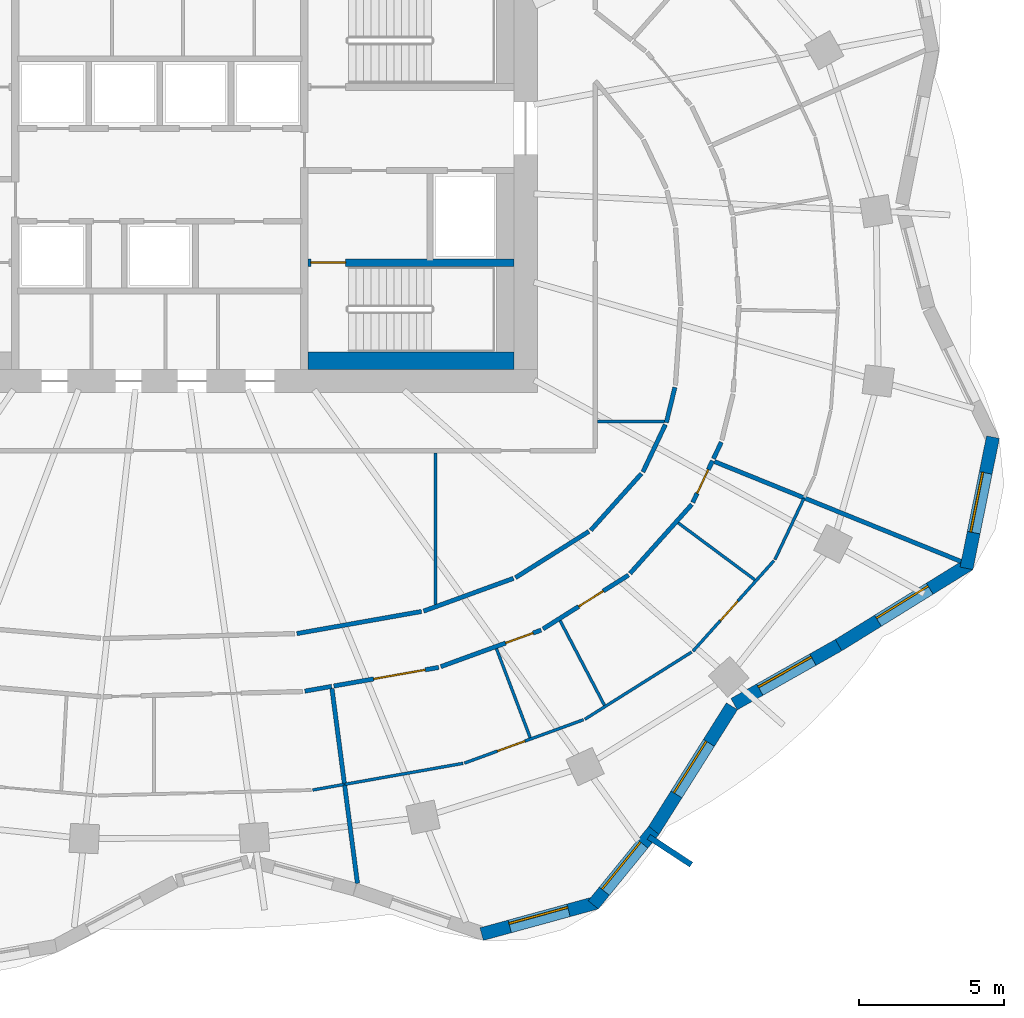
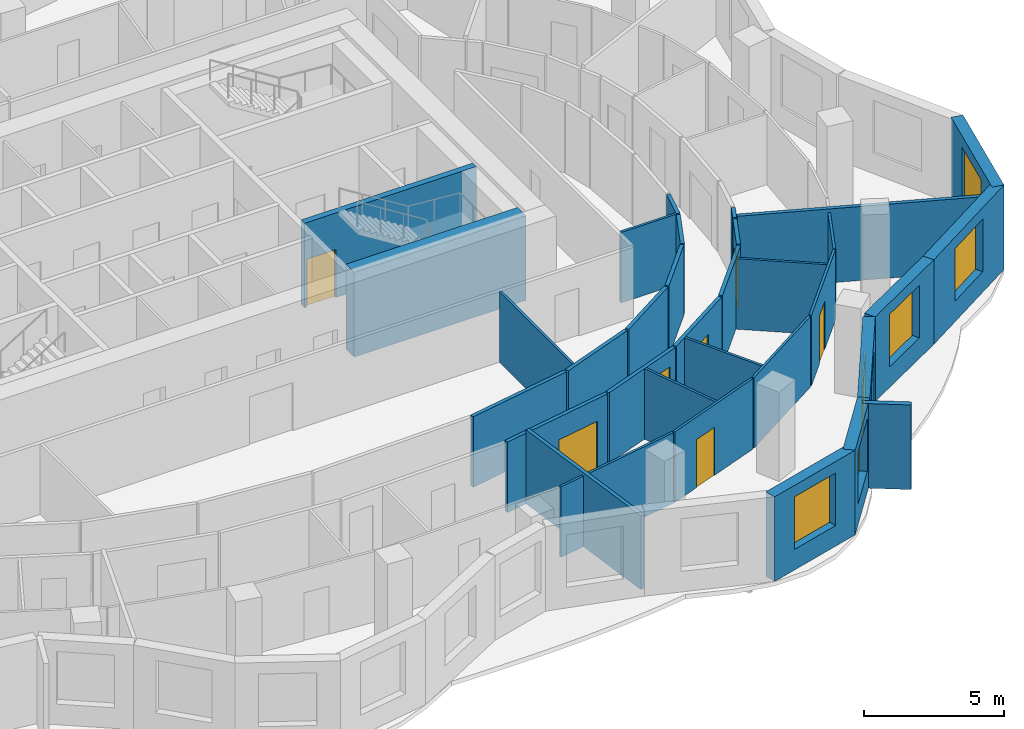
# One storey, part 6 of 11: 35 walls, 7 doors, 6 windows, 13 openings.
"""IFC4 building model written with IfcOpenShell, lengths in metres."""

from ifc_helpers import new_model, si_unit, direction, frame, frame_2d, origin, place, context, subcontext, project, spatial, rectangle, extrude, material, layer, layer_set, type_object, element, fill, save


model = new_model("IFC4")

# Units and contexts
model_context = context("Model", 3, precision=1e-05, world=origin(), true_north=direction((0.0, 1.0)))
body_context = subcontext(model_context, "Body", "Model", "MODEL_VIEW")
ifc_project = project(units=[si_unit("LENGTHUNIT", "METRE"), si_unit("AREAUNIT", "SQUARE_METRE"), si_unit("VOLUMEUNIT", "CUBIC_METRE"), si_unit("PLANEANGLEUNIT", "RADIAN"), si_unit("MASSUNIT", "GRAM", prefix="KILO")], contexts=[model_context])

# Site, building, storey
site_placement = place(None, origin())
site = spatial("IfcSite", under=ifc_project, at=site_placement, CompositionType="ELEMENT")
building_placement = place(site_placement, origin())
building = spatial("IfcBuilding", under=site, at=building_placement, Name="Rubra Terraces Tower", CompositionType="ELEMENT")
storey_placement = place(building_placement, frame((0.0, 0.0, 174.0)))
storey = spatial("IfcBuildingStorey", under=building, at=storey_placement, Name="L42", CompositionType="ELEMENT", Elevation=174.0)

# Wall, opening, window
ifc_material_1 = material(Name="Brick masonry red-brown", Category="masonry")
ifc_layer_1 = layer(ifc_material_1, 0.449951171875)
ifc_layer_set_1 = layer_set([ifc_layer_1], Name="Brick masonry red-brown")
wall_type_1 = type_object("IfcWallType", Name="Brick facade wall 450", PredefinedType="SOLIDWALL", material=ifc_layer_set_1)
wall_1_placement = place(storey_placement, frame((11.08251953125, -21.64990234375, 0.0), z_axis=(0.0, 0.0, 1.0), x_axis=(0.964483204983, 0.264144179011, 0.0)))
wall_1 = element("IfcWall", 1, at=wall_1_placement, inside=storey, type_object=wall_type_1, Name="Facade wall L42 bay 34", PredefinedType="SOLIDWALL", context=body_context, shape_type="SweptSolid", body=[
    extrude(rectangle(XDim=4.103759765625, YDim=0.449951171875, at=frame_2d((2.0517578125, 0.0))), origin(), (0.0, 0.0, 1.0), 3.699951171875),
])
opening_1_placement = place(wall_1_placement, frame((1.001953125, 0.0, 0.89990234375)))
opening_1 = element("IfcOpeningElement", 2, at=opening_1_placement, cuts=wall_1, Name="Opening W1B", PredefinedType="OPENING", context=body_context, shape_type="SweptSolid", body=[
    extrude(rectangle(XDim=2.10009765625, YDim=2.300048828125, at=frame_2d((1.050048828125, 1.14990234375))), frame((0.0, 0.23486328125, 0.0), z_axis=(0.0, -1.0, 0.0), x_axis=(1.0, 0.0, 0.0)), (0.0, 0.0, 1.0), 0.469970703125),
])
ifc_material_2 = material(Name="Clear glass in aluminium frame", Category="aluminium")
window_type = type_object("IfcWindowType", Name="Fixed deep-set window tall storey 2100 x 2300", PartitioningType="SINGLE_PANEL", PredefinedType="WINDOW", material=ifc_material_2)
window_1_placement = place(opening_1_placement, origin())
window_1 = element("IfcWindow", 3, at=window_1_placement, inside=storey, type_object=window_type, Name="Window L42 bay 34", OverallHeight=2.300048828125, OverallWidth=2.10009765625, PartitioningType="SINGLE_PANEL", PredefinedType="WINDOW", context=body_context, shape_type="SweptSolid", body=[
    extrude(rectangle(XDim=2.10009765625, YDim=2.300048828125, at=frame_2d((1.050048828125, 1.14990234375))), frame((0.0, 0.135009765625, 0.0), z_axis=(0.0, -1.0, 0.0), x_axis=(1.0, 0.0, 0.0)), (0.0, 0.0, 1.0), 0.06005859375),
])
fill(opening_1, window_1)

wall_2_placement = place(storey_placement, frame((14.925537109375, -20.640869140625, 0.0), z_axis=(0.0, 0.0, 1.0), x_axis=(0.631548074669, 0.775336720001, 0.0)))
wall_2 = element("IfcWall", 4, at=wall_2_placement, inside=storey, type_object=wall_type_1, Name="Facade wall L42 bay 35", PredefinedType="SOLIDWALL", context=body_context, shape_type="SweptSolid", body=[
    extrude(rectangle(XDim=3.3076171875, YDim=0.449951171875, at=frame_2d((1.65380859375, 0.0))), origin(), (0.0, 0.0, 1.0), 3.699951171875),
])
opening_2_placement = place(wall_2_placement, frame((0.603759765625, 0.0, 0.89990234375)))
opening_2 = element("IfcOpeningElement", 5, at=opening_2_placement, cuts=wall_2, Name="Opening W1B", PredefinedType="OPENING", context=body_context, shape_type="SweptSolid", body=[
    extrude(rectangle(XDim=2.10009765625, YDim=2.300048828125, at=frame_2d((1.050048828125, 1.14990234375))), frame((0.0, 0.23486328125, 0.0), z_axis=(0.0, -1.0, 0.0), x_axis=(1.0, 0.0, 0.0)), (0.0, 0.0, 1.0), 0.469970703125),
])
window_2_placement = place(opening_2_placement, origin())
window_2 = element("IfcWindow", 6, at=window_2_placement, inside=storey, type_object=window_type, Name="Window L42 bay 35", OverallHeight=2.300048828125, OverallWidth=2.10009765625, PartitioningType="SINGLE_PANEL", PredefinedType="WINDOW", context=body_context, shape_type="SweptSolid", body=[
    extrude(rectangle(XDim=2.10009765625, YDim=2.300048828125, at=frame_2d((1.050048828125, 1.14990234375))), frame((0.0, 0.135009765625, 0.0), z_axis=(0.0, -1.0, 0.0), x_axis=(1.0, 0.0, 0.0)), (0.0, 0.0, 1.0), 0.06005859375),
])
fill(opening_2, window_2)

wall_3_placement = place(storey_placement, frame((16.998291015625, -18.0986328125, 0.0), z_axis=(0.0, 0.0, 1.0), x_axis=(0.532745661304, 0.846275404559, 0.0)))
wall_3 = element("IfcWall", 7, at=wall_3_placement, inside=storey, type_object=wall_type_1, Name="Facade wall L42 bay 36", PredefinedType="SOLIDWALL", context=body_context, shape_type="SweptSolid", body=[
    extrude(rectangle(XDim=5.076171875, YDim=0.449951171875, at=frame_2d((2.5380859375, 0.0))), origin(), (0.0, 0.0, 1.0), 3.699951171875),
])
opening_3_placement = place(wall_3_placement, frame((1.488037109375, 0.0, 0.89990234375)))
opening_3 = element("IfcOpeningElement", 8, at=opening_3_placement, cuts=wall_3, Name="Opening W1B", PredefinedType="OPENING", context=body_context, shape_type="SweptSolid", body=[
    extrude(rectangle(XDim=2.10009765625, YDim=2.300048828125, at=frame_2d((1.050048828125, 1.14990234375))), frame((0.0, 0.23486328125, 0.0), z_axis=(0.0, -1.0, 0.0), x_axis=(1.0, 0.0, 0.0)), (0.0, 0.0, 1.0), 0.469970703125),
])
window_3_placement = place(opening_3_placement, origin())
window_3 = element("IfcWindow", 9, at=window_3_placement, inside=storey, type_object=window_type, Name="Window L42 bay 36", OverallHeight=2.300048828125, OverallWidth=2.10009765625, PartitioningType="SINGLE_PANEL", PredefinedType="WINDOW", context=body_context, shape_type="SweptSolid", body=[
    extrude(rectangle(XDim=2.10009765625, YDim=2.300048828125, at=frame_2d((1.050048828125, 1.14990234375))), frame((0.0, 0.135009765625, 0.0), z_axis=(0.0, -1.0, 0.0), x_axis=(1.0, 0.0, 0.0)), (0.0, 0.0, 1.0), 0.06005859375),
])
fill(opening_3, window_3)

wall_4_placement = place(storey_placement, frame((19.77587890625, -13.730712890625, 0.0), z_axis=(0.0, 0.0, 1.0), x_axis=(0.870610133829, 0.491973571318, 0.0)))
wall_4 = element("IfcWall", 10, at=wall_4_placement, inside=storey, type_object=wall_type_1, Name="Facade wall L42 bay 37", PredefinedType="SOLIDWALL", context=body_context, shape_type="SweptSolid", body=[
    extrude(rectangle(XDim=4.1337890625, YDim=0.449951171875, at=frame_2d((2.06689453125, 0.0))), origin(), (0.0, 0.0, 1.0), 3.699951171875),
])
opening_4_placement = place(wall_4_placement, frame((1.016845703125, 0.0, 0.89990234375)))
opening_4 = element("IfcOpeningElement", 11, at=opening_4_placement, cuts=wall_4, Name="Opening W1B", PredefinedType="OPENING", context=body_context, shape_type="SweptSolid", body=[
    extrude(rectangle(XDim=2.10009765625, YDim=2.300048828125, at=frame_2d((1.050048828125, 1.14990234375))), frame((0.0, 0.23486328125, 0.0), z_axis=(0.0, -1.0, 0.0), x_axis=(1.0, 0.0, 0.0)), (0.0, 0.0, 1.0), 0.469970703125),
])
window_4_placement = place(opening_4_placement, origin())
window_4 = element("IfcWindow", 12, at=window_4_placement, inside=storey, type_object=window_type, Name="Window L42 bay 37", OverallHeight=2.300048828125, OverallWidth=2.10009765625, PartitioningType="SINGLE_PANEL", PredefinedType="WINDOW", context=body_context, shape_type="SweptSolid", body=[
    extrude(rectangle(XDim=2.10009765625, YDim=2.300048828125, at=frame_2d((1.050048828125, 1.14990234375))), frame((0.0, 0.135009765625, 0.0), z_axis=(0.0, -1.0, 0.0), x_axis=(1.0, 0.0, 0.0)), (0.0, 0.0, 1.0), 0.06005859375),
])
fill(opening_4, window_4)

wall_5_placement = place(storey_placement, frame((23.368408203125, -11.700927734375, 0.0), z_axis=(0.0, 0.0, 1.0), x_axis=(0.850251408633, 0.526376806211, 0.0)))
wall_5 = element("IfcWall", 13, at=wall_5_placement, inside=storey, type_object=wall_type_1, Name="Facade wall L42 bay 38", PredefinedType="SOLIDWALL", context=body_context, shape_type="SweptSolid", body=[
    extrude(rectangle(XDim=5.30224609375, YDim=0.449951171875, at=frame_2d((2.651123046875, 0.0))), origin(), (0.0, 0.0, 1.0), 3.699951171875),
])
opening_5_placement = place(wall_5_placement, frame((1.601318359375, 0.0, 0.89990234375)))
opening_5 = element("IfcOpeningElement", 14, at=opening_5_placement, cuts=wall_5, Name="Opening W1B", PredefinedType="OPENING", context=body_context, shape_type="SweptSolid", body=[
    extrude(rectangle(XDim=2.10009765625, YDim=2.300048828125, at=frame_2d((1.050048828125, 1.14990234375))), frame((0.0, 0.23486328125, 0.0), z_axis=(0.0, -1.0, 0.0), x_axis=(1.0, 0.0, 0.0)), (0.0, 0.0, 1.0), 0.469970703125),
])
window_5_placement = place(opening_5_placement, origin())
window_5 = element("IfcWindow", 15, at=window_5_placement, inside=storey, type_object=window_type, Name="Window L42 bay 38", OverallHeight=2.300048828125, OverallWidth=2.10009765625, PartitioningType="SINGLE_PANEL", PredefinedType="WINDOW", context=body_context, shape_type="SweptSolid", body=[
    extrude(rectangle(XDim=2.10009765625, YDim=2.300048828125, at=frame_2d((1.050048828125, 1.14990234375))), frame((0.0, 0.135009765625, 0.0), z_axis=(0.0, -1.0, 0.0), x_axis=(1.0, 0.0, 0.0)), (0.0, 0.0, 1.0), 0.06005859375),
])
fill(opening_5, window_5)

wall_6_placement = place(storey_placement, frame((27.779541015625, -9.053466796875, 0.0), z_axis=(0.0, 0.0, 1.0), x_axis=(0.197796229105, 0.980243159503, 0.0)))
wall_6 = element("IfcWall", 16, at=wall_6_placement, inside=storey, type_object=wall_type_1, Name="Facade wall L42 bay 39", PredefinedType="SOLIDWALL", context=body_context, shape_type="SweptSolid", body=[
    extrude(rectangle(XDim=4.610107421875, YDim=0.449951171875, at=frame_2d((2.30517578125, 0.0))), origin(), (0.0, 0.0, 1.0), 3.699951171875),
])
opening_6_placement = place(wall_6_placement, frame((1.255126953125, 0.0, 0.89990234375)))
opening_6 = element("IfcOpeningElement", 17, at=opening_6_placement, cuts=wall_6, Name="Opening W1B", PredefinedType="OPENING", context=body_context, shape_type="SweptSolid", body=[
    extrude(rectangle(XDim=2.10009765625, YDim=2.300048828125, at=frame_2d((1.050048828125, 1.14990234375))), frame((0.0, 0.23486328125, 0.0), z_axis=(0.0, -1.0, 0.0), x_axis=(1.0, 0.0, 0.0)), (0.0, 0.0, 1.0), 0.469970703125),
])
window_6_placement = place(opening_6_placement, origin())
window_6 = element("IfcWindow", 18, at=window_6_placement, inside=storey, type_object=window_type, Name="Window L42 bay 39", OverallHeight=2.300048828125, OverallWidth=2.10009765625, PartitioningType="SINGLE_PANEL", PredefinedType="WINDOW", context=body_context, shape_type="SweptSolid", body=[
    extrude(rectangle(XDim=2.10009765625, YDim=2.300048828125, at=frame_2d((1.050048828125, 1.14990234375))), frame((0.0, 0.135009765625, 0.0), z_axis=(0.0, -1.0, 0.0), x_axis=(1.0, 0.0, 0.0)), (0.0, 0.0, 1.0), 0.06005859375),
])
fill(opening_6, window_6)

# Walls
ifc_layer_2 = layer(ifc_material_1, 0.199951171875)
ifc_layer_set_2 = layer_set([ifc_layer_2], Name="Brick masonry red-brown")
wall_type_2 = type_object("IfcWallType", Name="Brick wind fin 200", PredefinedType="SOLIDWALL", material=ifc_layer_set_2)
wall_7_placement = place(storey_placement, frame((16.837890625, -18.298095703125, 0.0), z_axis=(0.0, 0.0, 1.0), x_axis=(0.835871900419, -0.548924554097, 0.0)))
element("IfcWall", 19, at=wall_7_placement, inside=storey, type_object=wall_type_2, Name="Wind fin L42 21", PredefinedType="SOLIDWALL", context=body_context, shape_type="SweptSolid", body=[
    extrude(rectangle(XDim=1.750244140625, YDim=0.199951171875, at=frame_2d((0.875, 0.0))), origin(), (0.0, 0.0, 1.0), 3.699951171875),
])
ifc_material_3 = material(Name="Plasterboard on steel stud, mineral wool infill", Category="steel")
ifc_layer_3 = layer(ifc_material_3, 0.14990234375)
ifc_layer_set_3 = layer_set([ifc_layer_3], Name="Plasterboard on steel stud, mineral wool infill")
wall_type_3 = type_object("IfcWallType", Name="CORRIDOR PARTITION 150", PredefinedType="PARTITIONING", material=ifc_layer_set_3)
wall_8_placement = place(storey_placement, frame((4.994873046875, -13.28125, 0.0), z_axis=(0.0, 0.0, 1.0), x_axis=(0.984615318048, 0.174736016506, 0.0)))
element("IfcWall", 20, at=wall_8_placement, inside=storey, type_object=wall_type_3, Name="PARTITION", PredefinedType="PARTITIONING", context=body_context, shape_type="SweptSolid", body=[
    extrude(rectangle(XDim=0.9375, YDim=0.14990234375, at=frame_2d((0.46875, 0.0))), origin(), (0.0, 0.0, 1.0), 3.083984375),
])

# Wall, opening, door
wall_9_placement = place(storey_placement, frame((5.99169921875, -13.1044921875, 0.0), z_axis=(0.0, 0.0, 1.0), x_axis=(0.98463249319, 0.174639209096, 0.0)))
wall_9 = element("IfcWall", 21, at=wall_9_placement, inside=storey, type_object=wall_type_3, Name="PARTITION", PredefinedType="PARTITIONING", context=body_context, shape_type="SweptSolid", body=[
    extrude(rectangle(XDim=3.669677734375, YDim=0.14990234375, at=frame_2d((1.8349609375, 0.0))), origin(), (0.0, 0.0, 1.0), 3.083984375),
])
opening_7_placement = place(wall_9_placement, frame((1.39990234375, 0.0, 0.0)))
opening_7 = element("IfcOpeningElement", 22, at=opening_7_placement, cuts=wall_9, Name="Opening 42-119", PredefinedType="OPENING", context=body_context, shape_type="SweptSolid", body=[
    extrude(rectangle(XDim=1.800048828125, YDim=2.10009765625, at=frame_2d((0.89990234375, 1.050048828125))), frame((0.0, 0.0849609375, 0.0), z_axis=(0.0, -1.0, 0.0), x_axis=(1.0, 0.0, 0.0)), (0.0, 0.0, 1.0), 0.169921875),
])
ifc_material_4 = material(Name="Painted timber door leaf, double", Category="wood")
door_type_1 = type_object("IfcDoorType", Name="ROOM DOUBLE DOOR 1800 X 2100", OperationType="DOUBLE_DOOR_SINGLE_SWING", PredefinedType="DOOR", material=ifc_material_4)
door_1_placement = place(opening_7_placement, origin())
door_1 = element("IfcDoor", 23, at=door_1_placement, inside=storey, type_object=door_type_1, Name="DOOR 42-119", OperationType="DOUBLE_DOOR_SINGLE_SWING", OverallHeight=2.10009765625, OverallWidth=1.800048828125, PredefinedType="DOOR", context=body_context, shape_type="SweptSolid", body=[
    extrude(rectangle(XDim=1.800048828125, YDim=2.10009765625, at=frame_2d((0.89990234375, 1.050048828125))), frame((0.0, 0.02490234375, 0.0), z_axis=(0.0, -1.0, 0.0), x_axis=(1.0, 0.0, 0.0)), (0.0, 0.0, 1.0), 0.050048828125),
])
fill(opening_7, door_1)

wall_10_placement = place(storey_placement, frame((9.675537109375, -12.43798828125, 0.0), z_axis=(0.0, 0.0, 1.0), x_axis=(0.939640289748, 0.342163887461, 0.0)))
wall_10 = element("IfcWall", 24, at=wall_10_placement, inside=storey, type_object=wall_type_3, Name="PARTITION", PredefinedType="PARTITIONING", context=body_context, shape_type="SweptSolid", body=[
    extrude(rectangle(XDim=3.6796875, YDim=0.14990234375, at=frame_2d((1.83984375, 0.0))), origin(), (0.0, 0.0, 1.0), 3.083984375),
])
opening_8_placement = place(wall_10_placement, frame((2.3798828125, 0.0, 0.0)))
opening_8 = element("IfcOpeningElement", 25, at=opening_8_placement, cuts=wall_10, Name="Opening 42-120", PredefinedType="OPENING", context=body_context, shape_type="SweptSolid", body=[
    extrude(rectangle(XDim=1.0, YDim=2.39990234375, at=frame_2d((0.5, 1.199951171875))), frame((0.0, 0.0849609375, 0.0), z_axis=(0.0, -1.0, 0.0), x_axis=(1.0, 0.0, 0.0)), (0.0, 0.0, 1.0), 0.169921875),
])
ifc_material_5 = material(Name="Glazed aluminium meeting door leaf", Category="aluminium")
door_type_2 = type_object("IfcDoorType", Name="MEETING ROOM GLAZED DOOR 1000 X 2400", OperationType="SINGLE_SWING_LEFT", PredefinedType="DOOR", material=ifc_material_5)
door_2_placement = place(opening_8_placement, origin())
door_2 = element("IfcDoor", 26, at=door_2_placement, inside=storey, type_object=door_type_2, Name="DOOR 42-120", OperationType="SINGLE_SWING_RIGHT", OverallHeight=2.39990234375, OverallWidth=1.0, PredefinedType="DOOR", context=body_context, shape_type="SweptSolid", body=[
    extrude(rectangle(XDim=1.0, YDim=2.39990234375, at=frame_2d((0.5, 1.199951171875))), frame((0.0, 0.02490234375, 0.0), z_axis=(0.0, -1.0, 0.0), x_axis=(1.0, 0.0, 0.0)), (0.0, 0.0, 1.0), 0.050048828125),
])
fill(opening_8, door_2)

wall_11_placement = place(storey_placement, frame((13.196533203125, -11.138916015625, 0.0), z_axis=(0.0, 0.0, 1.0), x_axis=(0.846390903833, 0.532562144644, 0.0)))
wall_11 = element("IfcWall", 27, at=wall_11_placement, inside=storey, type_object=wall_type_3, Name="PARTITION", PredefinedType="PARTITIONING", context=body_context, shape_type="SweptSolid", body=[
    extrude(rectangle(XDim=3.481201171875, YDim=0.14990234375, at=frame_2d((1.74072265625, 0.0))), origin(), (0.0, 0.0, 1.0), 3.083984375),
])
opening_9_placement = place(wall_11_placement, frame((1.449951171875, 0.0, 0.0)))
opening_9 = element("IfcOpeningElement", 28, at=opening_9_placement, cuts=wall_11, Name="Opening 42-140", PredefinedType="OPENING", context=body_context, shape_type="SweptSolid", body=[
    extrude(rectangle(XDim=1.0, YDim=2.10009765625, at=frame_2d((0.5, 1.050048828125))), frame((0.0, 0.0849609375, 0.0), z_axis=(0.0, -1.0, 0.0), x_axis=(1.0, 0.0, 0.0)), (0.0, 0.0, 1.0), 0.169921875),
])
ifc_material_6 = material(Name="Painted timber door leaf", Category="wood")
door_type_3 = type_object("IfcDoorType", Name="ROOM DOOR 1000 X 2100", OperationType="SINGLE_SWING_LEFT", PredefinedType="DOOR", material=ifc_material_6)
door_3_placement = place(opening_9_placement, origin())
door_3 = element("IfcDoor", 29, at=door_3_placement, inside=storey, type_object=door_type_3, Name="DOOR 42-140", OperationType="SINGLE_SWING_RIGHT", OverallHeight=2.10009765625, OverallWidth=1.0, PredefinedType="DOOR", context=body_context, shape_type="SweptSolid", body=[
    extrude(rectangle(XDim=1.0, YDim=2.10009765625, at=frame_2d((0.5, 1.050048828125))), frame((0.0, 0.02490234375, 0.0), z_axis=(0.0, -1.0, 0.0), x_axis=(1.0, 0.0, 0.0)), (0.0, 0.0, 1.0), 0.050048828125),
])
fill(opening_9, door_3)

# Wall
wall_12_placement = place(storey_placement, frame((16.193115234375, -9.22900390625, 0.0), z_axis=(0.0, 0.0, 1.0), x_axis=(0.666882089048, 0.745163256815, 0.0)))
element("IfcWall", 30, at=wall_12_placement, inside=storey, type_object=wall_type_3, Name="PARTITION", PredefinedType="PARTITIONING", context=body_context, shape_type="SweptSolid", body=[
    extrude(rectangle(XDim=3.1904296875, YDim=0.14990234375, at=frame_2d((1.59521484375, 0.0))), origin(), (0.0, 0.0, 1.0), 3.083984375),
])

# Wall, opening, door
wall_13_placement = place(storey_placement, frame((18.35302734375, -6.78369140625, 0.0), z_axis=(0.0, 0.0, 1.0), x_axis=(0.428125964575, 0.90371907054, 0.0)))
wall_13 = element("IfcWall", 31, at=wall_13_placement, inside=storey, type_object=wall_type_3, Name="PARTITION", PredefinedType="PARTITIONING", context=body_context, shape_type="SweptSolid", body=[
    extrude(rectangle(XDim=1.58935546875, YDim=0.14990234375, at=frame_2d((0.794677734375, 0.0))), origin(), (0.0, 0.0, 1.0), 3.083984375),
])
opening_10_placement = place(wall_13_placement, frame((0.35009765625, 0.0, 0.0)))
opening_10 = element("IfcOpeningElement", 32, at=opening_10_placement, cuts=wall_13, Name="Opening 42-141", PredefinedType="OPENING", context=body_context, shape_type="SweptSolid", body=[
    extrude(rectangle(XDim=0.89990234375, YDim=2.10009765625, at=frame_2d((0.449951171875, 1.050048828125))), frame((0.0, 0.0849609375, 0.0), z_axis=(0.0, -1.0, 0.0), x_axis=(1.0, 0.0, 0.0)), (0.0, 0.0, 1.0), 0.169921875),
])
door_type_4 = type_object("IfcDoorType", Name="BATHROOM DOOR 900 X 2100", OperationType="SINGLE_SWING_LEFT", PredefinedType="DOOR", material=ifc_material_6)
door_4_placement = place(opening_10_placement, origin())
door_4 = element("IfcDoor", 33, at=door_4_placement, inside=storey, type_object=door_type_4, Name="DOOR 42-141", OperationType="SINGLE_SWING_RIGHT", OverallHeight=2.10009765625, OverallWidth=0.89990234375, PredefinedType="DOOR", context=body_context, shape_type="SweptSolid", body=[
    extrude(rectangle(XDim=0.89990234375, YDim=2.10009765625, at=frame_2d((0.449951171875, 1.050048828125))), frame((0.0, 0.02490234375, 0.0), z_axis=(0.0, -1.0, 0.0), x_axis=(1.0, 0.0, 0.0)), (0.0, 0.0, 1.0), 0.050048828125),
])
fill(opening_10, door_4)

# Walls
wall_14_placement = place(storey_placement, frame((19.0654296875, -5.279541015625, 0.0), z_axis=(0.0, 0.0, 1.0), x_axis=(0.428202003813, 0.903683043954, 0.0)))
element("IfcWall", 34, at=wall_14_placement, inside=storey, type_object=wall_type_3, Name="PARTITION", PredefinedType="PARTITIONING", context=body_context, shape_type="SweptSolid", body=[
    extrude(rectangle(XDim=0.63525390625, YDim=0.14990234375, at=frame_2d((0.317626953125, 0.0))), origin(), (0.0, 0.0, 1.0), 3.083984375),
])
wall_15_placement = place(storey_placement, frame((17.739013671875, -2.818115234375, 0.0), z_axis=(0.0, 0.0, 1.0), x_axis=(-0.236884307907, -0.971537865792, 0.0)))
element("IfcWall", 35, at=wall_15_placement, inside=storey, type_object=wall_type_3, Name="PARTITION", PredefinedType="PARTITIONING", context=body_context, shape_type="SweptSolid", body=[
    extrude(rectangle(XDim=1.251220703125, YDim=0.14990234375, at=frame_2d((0.62548828125, 0.0))), origin(), (0.0, 0.0, 1.0), 3.083984375),
])
wall_16_placement = place(storey_placement, frame((17.410400390625, -4.1015625, 0.0), z_axis=(0.0, 0.0, 1.0), x_axis=(-0.428074720318, -0.903743345107, 0.0)))
element("IfcWall", 36, at=wall_16_placement, inside=storey, type_object=wall_type_3, Name="PARTITION", PredefinedType="PARTITIONING", context=body_context, shape_type="SweptSolid", body=[
    extrude(rectangle(XDim=1.8056640625, YDim=0.14990234375, at=frame_2d((0.90283203125, 0.0))), origin(), (0.0, 0.0, 1.0), 3.083984375),
])
wall_17_placement = place(storey_placement, frame((16.58740234375, -5.789306640625, 0.0), z_axis=(0.0, 0.0, 1.0), x_axis=(-0.666887460656, -0.745158449472, 0.0)))
element("IfcWall", 37, at=wall_17_placement, inside=storey, type_object=wall_type_3, Name="PARTITION", PredefinedType="PARTITIONING", context=body_context, shape_type="SweptSolid", body=[
    extrude(rectangle(XDim=2.6201171875, YDim=0.14990234375, at=frame_2d((1.31005859375, 0.0))), origin(), (0.0, 0.0, 1.0), 3.083984375),
])
wall_18_placement = place(storey_placement, frame((14.776611328125, -7.781494140625, 0.0), z_axis=(0.0, 0.0, 1.0), x_axis=(-0.846359741043, -0.532611667862, 0.0)))
element("IfcWall", 38, at=wall_18_placement, inside=storey, type_object=wall_type_3, Name="PARTITION", PredefinedType="PARTITIONING", context=body_context, shape_type="SweptSolid", body=[
    extrude(rectangle(XDim=2.9873046875, YDim=0.14990234375, at=frame_2d((1.49365234375, 0.0))), origin(), (0.0, 0.0, 1.0), 3.083984375),
])
wall_19_placement = place(storey_placement, frame((12.177734375, -9.398193359375, 0.0), z_axis=(0.0, 0.0, 1.0), x_axis=(-0.939609240084, -0.342249143093, 0.0)))
element("IfcWall", 39, at=wall_19_placement, inside=storey, type_object=wall_type_3, Name="PARTITION", PredefinedType="PARTITIONING", context=body_context, shape_type="SweptSolid", body=[
    extrude(rectangle(XDim=3.2919921875, YDim=0.14990234375, at=frame_2d((1.64599609375, 0.0))), origin(), (0.0, 0.0, 1.0), 3.083984375),
])
wall_20_placement = place(storey_placement, frame((9.010498046875, -10.5380859375, 0.0), z_axis=(0.0, 0.0, 1.0), x_axis=(-0.984645638575, -0.174565077936, 0.0)))
element("IfcWall", 40, at=wall_20_placement, inside=storey, type_object=wall_type_3, Name="PARTITION", PredefinedType="PARTITIONING", context=body_context, shape_type="SweptSolid", body=[
    extrude(rectangle(XDim=4.35791015625, YDim=0.14990234375, at=frame_2d((2.178955078125, 0.0))), origin(), (0.0, 0.0, 1.0), 3.083984375),
])
ifc_material_7 = material(Name="Concrete C40", Category="concrete")
ifc_layer_4 = layer(ifc_material_7, 0.60009765625)
ifc_layer_set_4 = layer_set([ifc_layer_4], Name="Concrete C40")
wall_type_4 = type_object("IfcWallType", Name="Core lining wall 600 concrete", PredefinedType="SOLIDWALL", material=ifc_layer_set_4)
wall_21_placement = place(storey_placement, frame((12.199951171875, -1.89990234375, 0.0), z_axis=(0.0, 0.0, 1.0), x_axis=(-1.0, 0.0, 0.0)))
element("IfcWall", 41, at=wall_21_placement, inside=storey, type_object=wall_type_4, Name="CORE LINING WALL L42", PredefinedType="SOLIDWALL", context=body_context, shape_type="SweptSolid", body=[
    extrude(rectangle(XDim=7.099853515625, YDim=0.60009765625, at=frame_2d((3.5498046875, 0.0))), origin(), (0.0, 0.0, 1.0), 3.699951171875),
])
ifc_material_8 = material(Name="Plasterboard on steel stud", Category="steel")
ifc_layer_5 = layer(ifc_material_8, 0.10009765625)
ifc_layer_set_5 = layer_set([ifc_layer_5], Name="Plasterboard on steel stud")
wall_type_5 = type_object("IfcWallType", Name="ROOM PARTITION 100", PredefinedType="PARTITIONING", material=ifc_layer_set_5)
wall_22_placement = place(storey_placement, frame((6.34033203125, -16.49560546875, 0.0), z_axis=(0.0, 0.0, 1.0), x_axis=(-0.984632558058, -0.174638843366, 0.0)))
element("IfcWall", 42, at=wall_22_placement, inside=storey, type_object=wall_type_5, Name="PARTITION", PredefinedType="PARTITIONING", context=body_context, shape_type="SweptSolid", body=[
    extrude(rectangle(XDim=1.09326171875, YDim=0.10009765625, at=frame_2d((0.546630859375, 0.0))), origin(), (0.0, 0.0, 1.0), 3.083984375),
])
wall_23_placement = place(storey_placement, frame((22.18115234375, -6.64453125, 0.0), z_axis=(0.0, 0.0, 1.0), x_axis=(-0.428144841987, -0.903710127353, 0.0)))
element("IfcWall", 43, at=wall_23_placement, inside=storey, type_object=wall_type_5, Name="PARTITION", PredefinedType="PARTITIONING", context=body_context, shape_type="SweptSolid", body=[
    extrude(rectangle(XDim=2.332275390625, YDim=0.10009765625, at=frame_2d((1.166015625, 0.0))), origin(), (0.0, 0.0, 1.0), 3.083984375),
])

# Wall, opening, door
wall_24_placement = place(storey_placement, frame((21.1494140625, -8.789306640625, 0.0), z_axis=(0.0, 0.0, 1.0), x_axis=(-0.666915902537, -0.745132994132, 0.0)))
wall_24 = element("IfcWall", 44, at=wall_24_placement, inside=storey, type_object=wall_type_5, Name="PARTITION", PredefinedType="PARTITIONING", context=body_context, shape_type="SweptSolid", body=[
    extrude(rectangle(XDim=4.185791015625, YDim=0.10009765625, at=frame_2d((2.0927734375, 0.0))), origin(), (0.0, 0.0, 1.0), 3.083984375),
])
opening_11_placement = place(wall_24_placement, frame((1.868896484375, 0.0, 0.0)))
opening_11 = element("IfcOpeningElement", 45, at=opening_11_placement, cuts=wall_24, Name="Opening 42-121", PredefinedType="OPENING", context=body_context, shape_type="SweptSolid", body=[
    extrude(rectangle(XDim=0.89990234375, YDim=2.10009765625, at=frame_2d((0.449951171875, 1.050048828125))), frame((0.0, 0.06005859375, 0.0), z_axis=(0.0, -1.0, 0.0), x_axis=(1.0, 0.0, 0.0)), (0.0, 0.0, 1.0), 0.1201171875),
])
door_type_5 = type_object("IfcDoorType", Name="ROOM DOOR 900 X 2100", OperationType="SINGLE_SWING_LEFT", PredefinedType="DOOR", material=ifc_material_6)
door_5_placement = place(opening_11_placement, origin())
door_5 = element("IfcDoor", 46, at=door_5_placement, inside=storey, type_object=door_type_5, Name="DOOR 42-121", OperationType="SINGLE_SWING_LEFT", OverallHeight=2.10009765625, OverallWidth=0.89990234375, PredefinedType="DOOR", context=body_context, shape_type="SweptSolid", body=[
    extrude(rectangle(XDim=0.89990234375, YDim=2.10009765625, at=frame_2d((0.449951171875, 1.050048828125))), frame((0.0, 0.02490234375, 0.0), z_axis=(0.0, -1.0, 0.0), x_axis=(1.0, 0.0, 0.0)), (0.0, 0.0, 1.0), 0.050048828125),
])
fill(opening_11, door_5)

# Wall
wall_25_placement = place(storey_placement, frame((18.315673828125, -11.934814453125, 0.0), z_axis=(0.0, 0.0, 1.0), x_axis=(-0.84637539713, -0.532586788358, 0.0)))
element("IfcWall", 47, at=wall_25_placement, inside=storey, type_object=wall_type_5, Name="PARTITION", PredefinedType="PARTITIONING", context=body_context, shape_type="SweptSolid", body=[
    extrude(rectangle(XDim=4.34619140625, YDim=0.10009765625, at=frame_2d((2.173095703125, 0.0))), origin(), (0.0, 0.0, 1.0), 3.083984375),
])

# Wall, opening, door
wall_26_placement = place(storey_placement, frame((14.590087890625, -14.2666015625, 0.0), z_axis=(0.0, 0.0, 1.0), x_axis=(-0.939623405418, -0.342210251148, 0.0)))
wall_26 = element("IfcWall", 48, at=wall_26_placement, inside=storey, type_object=wall_type_5, Name="PARTITION", PredefinedType="PARTITIONING", context=body_context, shape_type="SweptSolid", body=[
    extrude(rectangle(XDim=4.36328125, YDim=0.10009765625, at=frame_2d((2.181640625, 0.0))), origin(), (0.0, 0.0, 1.0), 3.083984375),
])
opening_12_placement = place(wall_26_placement, frame((2.14990234375, 0.0, 0.0)))
opening_12 = element("IfcOpeningElement", 49, at=opening_12_placement, cuts=wall_26, Name="Opening 42-139", PredefinedType="OPENING", context=body_context, shape_type="SweptSolid", body=[
    extrude(rectangle(XDim=1.0, YDim=2.10009765625, at=frame_2d((0.5, 1.050048828125))), frame((0.0, 0.06005859375, 0.0), z_axis=(0.0, -1.0, 0.0), x_axis=(1.0, 0.0, 0.0)), (0.0, 0.0, 1.0), 0.1201171875),
])
door_6_placement = place(opening_12_placement, origin())
door_6 = element("IfcDoor", 50, at=door_6_placement, inside=storey, type_object=door_type_3, Name="DOOR 42-139", OperationType="SINGLE_SWING_LEFT", OverallHeight=2.10009765625, OverallWidth=1.0, PredefinedType="DOOR", context=body_context, shape_type="SweptSolid", body=[
    extrude(rectangle(XDim=1.0, YDim=2.10009765625, at=frame_2d((0.5, 1.050048828125))), frame((0.0, 0.02490234375, 0.0), z_axis=(0.0, -1.0, 0.0), x_axis=(1.0, 0.0, 0.0)), (0.0, 0.0, 1.0), 0.050048828125),
])
fill(opening_12, door_6)

# Walls
wall_27_placement = place(storey_placement, frame((10.441162109375, -15.7685546875, 0.0), z_axis=(0.0, 0.0, 1.0), x_axis=(-0.984637220861, -0.174612551941, 0.0)))
element("IfcWall", 51, at=wall_27_placement, inside=storey, type_object=wall_type_5, Name="PARTITION", PredefinedType="PARTITIONING", context=body_context, shape_type="SweptSolid", body=[
    extrude(rectangle(XDim=4.124755859375, YDim=0.10009765625, at=frame_2d((2.0625, 0.0))), origin(), (0.0, 0.0, 1.0), 3.083984375),
])
wall_28_placement = place(storey_placement, frame((11.593505859375, -11.8193359375, 0.0), z_axis=(0.0, 0.0, 1.0), x_axis=(0.354584575087, -0.935023945742, 0.0)))
element("IfcWall", 52, at=wall_28_placement, inside=storey, type_object=wall_type_5, Name="PARTITION", PredefinedType="PARTITIONING", context=body_context, shape_type="SweptSolid", body=[
    extrude(rectangle(XDim=3.275390625, YDim=0.10009765625, at=frame_2d((1.6376953125, 0.0))), origin(), (0.0, 0.0, 1.0), 3.083984375),
])
wall_29_placement = place(storey_placement, frame((13.7861328125, -10.856201171875, 0.0), z_axis=(0.0, 0.0, 1.0), x_axis=(0.464015323866, -0.885827172318, 0.0)))
element("IfcWall", 53, at=wall_29_placement, inside=storey, type_object=wall_type_5, Name="PARTITION", PredefinedType="PARTITIONING", context=body_context, shape_type="SweptSolid", body=[
    extrude(rectangle(XDim=3.285888671875, YDim=0.10009765625, at=frame_2d((1.64306640625, 0.0))), origin(), (0.0, 0.0, 1.0), 3.083984375),
])
wall_30_placement = place(storey_placement, frame((17.852783203125, -7.486572265625, 0.0), z_axis=(0.0, 0.0, 1.0), x_axis=(0.802681916891, -0.596407361034, 0.0)))
element("IfcWall", 54, at=wall_30_placement, inside=storey, type_object=wall_type_5, Name="PARTITION", PredefinedType="PARTITIONING", context=body_context, shape_type="SweptSolid", body=[
    extrude(rectangle(XDim=3.2890625, YDim=0.10009765625, at=frame_2d((1.64453125, 0.0))), origin(), (0.0, 0.0, 1.0), 3.083984375),
])
wall_31_placement = place(storey_placement, frame((9.5, -10.298583984375, 0.0), z_axis=(0.0, 0.0, 1.0), x_axis=(0.0, 1.0, 0.0)))
element("IfcWall", 55, at=wall_31_placement, inside=storey, type_object=wall_type_5, Name="PARTITION", PredefinedType="PARTITIONING", context=body_context, shape_type="SweptSolid", body=[
    extrude(rectangle(XDim=5.2236328125, YDim=0.10009765625, at=frame_2d((2.61181640625, 0.0))), origin(), (0.0, 0.0, 1.0), 3.083984375),
])
wall_32_placement = place(storey_placement, frame((15.074951171875, -4.0, 0.0), z_axis=(0.0, 0.0, 1.0), x_axis=(1.0, 0.0, 0.0)))
element("IfcWall", 56, at=wall_32_placement, inside=storey, type_object=wall_type_5, Name="PARTITION", PredefinedType="PARTITIONING", context=body_context, shape_type="SweptSolid", body=[
    extrude(rectangle(XDim=2.30078125, YDim=0.10009765625, at=frame_2d((1.150390625, 0.0))), origin(), (0.0, 0.0, 1.0), 3.083984375),
])
ifc_layer_6 = layer(ifc_material_8, 0.14990234375)
ifc_layer_set_6 = layer_set([ifc_layer_6], Name="Plasterboard on steel stud")
wall_type_6 = type_object("IfcWallType", Name="ROOM PARTITION 150", PredefinedType="PARTITIONING", material=ifc_layer_set_6)
wall_33_placement = place(storey_placement, frame((6.806640625, -19.900634765625, 0.0), z_axis=(0.0, 0.0, 1.0), x_axis=(-0.129934596003, 0.991522566945, 0.0)))
element("IfcWall", 57, at=wall_33_placement, inside=storey, type_object=wall_type_6, Name="PARTITION", PredefinedType="PARTITIONING", context=body_context, shape_type="SweptSolid", body=[
    extrude(rectangle(XDim=6.76611328125, YDim=0.14990234375, at=frame_2d((3.383056640625, 0.0))), origin(), (0.0, 0.0, 1.0), 3.23388671875),
])
wall_34_placement = place(storey_placement, frame((27.5927734375, -8.816162109375, 0.0), z_axis=(0.0, 0.0, 1.0), x_axis=(-0.9267854071, 0.375591279433, 0.0)))
element("IfcWall", 58, at=wall_34_placement, inside=storey, type_object=wall_type_6, Name="PARTITION", PredefinedType="PARTITIONING", context=body_context, shape_type="SweptSolid", body=[
    extrude(rectangle(XDim=9.16064453125, YDim=0.14990234375, at=frame_2d((4.580322265625, 0.0))), origin(), (0.0, 0.0, 1.0), 3.23388671875),
])

# Wall, opening, door
ifc_layer_7 = layer(ifc_material_7, 0.25)
ifc_layer_set_7 = layer_set([ifc_layer_7], Name="Concrete C40")
wall_type_7 = type_object("IfcWallType", Name="Stair enclosure wall 250 concrete", PredefinedType="SOLIDWALL", material=ifc_layer_set_7)
wall_35_placement = place(storey_placement, frame((12.199951171875, 1.47509765625, 0.0), z_axis=(0.0, 0.0, 1.0), x_axis=(-1.0, 0.0, 0.0)))
wall_35 = element("IfcWall", 59, at=wall_35_placement, inside=storey, type_object=wall_type_7, Name="STAIR WALL L42", PredefinedType="SOLIDWALL", context=body_context, shape_type="SweptSolid", body=[
    extrude(rectangle(XDim=7.099853515625, YDim=0.25, at=frame_2d((3.5498046875, 0.0))), origin(), (0.0, 0.0, 1.0), 3.699951171875),
])
opening_13_placement = place(wall_35_placement, frame((5.800048828125, 0.0, 0.0)))
opening_13 = element("IfcOpeningElement", 60, at=opening_13_placement, cuts=wall_35, Name="Opening L42.C10", PredefinedType="OPENING", context=body_context, shape_type="SweptSolid", body=[
    extrude(rectangle(XDim=1.199951171875, YDim=2.10009765625, at=frame_2d((0.60009765625, 1.050048828125))), frame((0.0, 0.135009765625, 0.0), z_axis=(0.0, -1.0, 0.0), x_axis=(1.0, 0.0, 0.0)), (0.0, 0.0, 1.0), 0.27001953125),
])
ifc_material_9 = material(Name="Painted steel", Category="steel")
door_type_6 = type_object("IfcDoorType", Name="Fire door 1200x2100 single", OperationType="NOTDEFINED", PredefinedType="DOOR", material=ifc_material_9)
door_7_placement = place(opening_13_placement, origin())
door_7 = element("IfcDoor", 61, at=door_7_placement, inside=storey, type_object=door_type_6, Name="Stair door S4", OperationType="SINGLE_SWING_RIGHT", OverallHeight=2.10009765625, OverallWidth=1.199951171875, PredefinedType="DOOR", context=body_context, shape_type="SweptSolid", body=[
    extrude(rectangle(XDim=1.199951171875, YDim=2.10009765625, at=frame_2d((0.60009765625, 1.050048828125))), frame((0.0, 0.02490234375, 0.0), z_axis=(0.0, -1.0, 0.0), x_axis=(1.0, 0.0, 0.0)), (0.0, 0.0, 1.0), 0.050048828125),
])
fill(opening_13, door_7)

save(model, "model.ifc")
